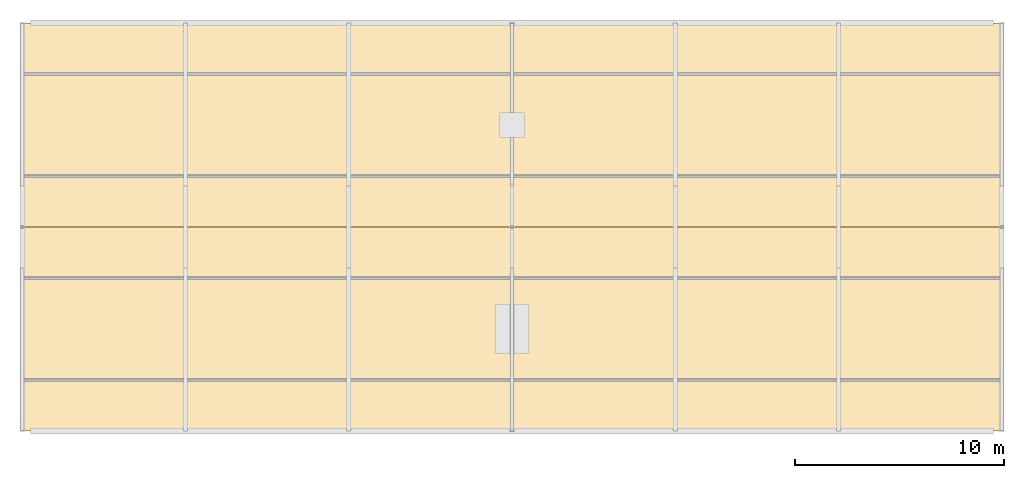
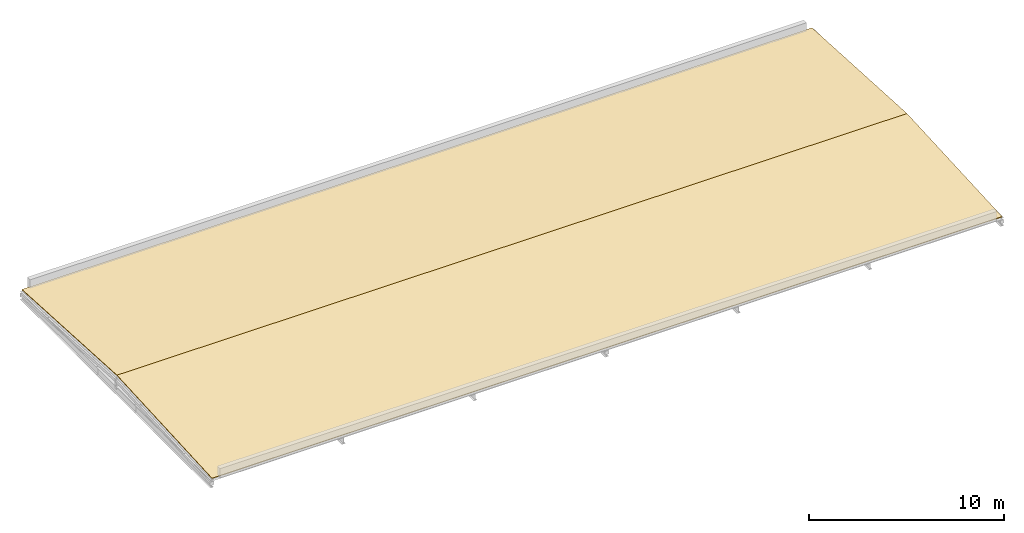
# One storey, part 13 of 13: 2 coverings.
"""IFC4 building model written with IfcOpenShell, lengths in metres."""

import ifcopenshell
import ifcopenshell.guid

model = None  # the IFC model being written
_history = None  # IfcOwnerHistory: only IFC2X3 demands one
_inside = {}  # id of a spatial element -> (the spatial element, [elements in it])
_under = {}  # id of a project, library or spatial element -> (it, [spatial elements below it])
_declared = {}  # id of a project -> (the project, [libraries it declares])
_typed = {}  # id of a type object -> (the type object, [elements of that type])
_made_of = {}  # id of a material, layer set ... -> (it, [elements and type objects made of it])


def new_model(schema):
    """Start an empty IFC model of exactly this schema.

    Asked for "IFC4X3", IfcOpenShell would pick the latest addendum, in which some entities
    have other attributes; the version numbers below select the first issue.
    IFC2X3 requires an IfcOwnerHistory on every rooted entity: one is made here for all.
    """
    global model, _history
    if schema == "IFC4X3":
        model = ifcopenshell.file(schema_version=(4, 3, 0, 0))
    else:
        model = ifcopenshell.file(schema=schema)
    _inside.clear()
    _under.clear()
    _declared.clear()
    _typed.clear()
    _made_of.clear()
    _history = None
    if model.schema == "IFC2X3":
        org = make("IfcOrganization", Name="unknown")
        user = make(
            "IfcPersonAndOrganization",
            ThePerson=make("IfcPerson", FamilyName="unknown"),
            TheOrganization=org,
        )
        app = make(
            "IfcApplication",
            ApplicationDeveloper=org,
            Version="unknown",
            ApplicationFullName="unknown",
            ApplicationIdentifier="unknown",
        )
        _history = make(
            "IfcOwnerHistory",
            OwningUser=user,
            OwningApplication=app,
            ChangeAction="ADDED",
            CreationDate=0,
        )
    return model


def make(cls, **values):
    """One entity of the class cls with the attributes given. An attribute that is None is left unset."""
    return model.create_entity(
        cls, **{name: value for name, value in values.items() if value is not None}
    )


def rooted(cls, **values):
    """An entity with a GlobalId (a new one), such as an element, a storey or a relation."""
    return make(cls, GlobalId=ifcopenshell.guid.new(), OwnerHistory=_history, **values)


def si_unit(unit_type, name, prefix=None):
    """IfcSIUnit, for example si_unit("LENGTHUNIT", "METRE", prefix="MILLI")."""
    return make("IfcSIUnit", UnitType=unit_type, Prefix=prefix, Name=name)


def assignment(units):
    """IfcUnitAssignment: the units of a project."""
    return None if units is None else make("IfcUnitAssignment", Units=units)


def point(xyz):
    """IfcCartesianPoint."""
    return None if xyz is None else make("IfcCartesianPoint", Coordinates=xyz)


def direction(xyz):
    """IfcDirection."""
    return None if xyz is None else make("IfcDirection", DirectionRatios=xyz)


def frame(location, z_axis=None, x_axis=None):
    """IfcAxis2Placement3D, a coordinate frame: its origin and axes. An axis left out is left unset."""
    return make(
        "IfcAxis2Placement3D",
        Location=point(location),
        Axis=direction(z_axis),
        RefDirection=direction(x_axis),
    )


def origin():
    """The frame at (0, 0, 0) with its axes left unset."""
    return frame((0.0, 0.0, 0.0))


def place(relative_to, where):
    """IfcLocalPlacement: puts the frame where relative to a parent placement (None: the world)."""
    return make(
        "IfcLocalPlacement", PlacementRelTo=relative_to, RelativePlacement=where
    )


def context(
    kind, dimensions, precision=None, world=None, true_north=None, identifier=None
):
    """IfcGeometricRepresentationContext, for example the 3D "Model" context."""
    return make(
        "IfcGeometricRepresentationContext",
        ContextIdentifier=identifier,
        ContextType=kind,
        CoordinateSpaceDimension=dimensions,
        Precision=precision,
        WorldCoordinateSystem=world,
        TrueNorth=true_north,
    )


def subcontext(parent, identifier, kind, view, scale=None):
    """IfcGeometricRepresentationSubContext, for example "Body" below "Model"."""
    return make(
        "IfcGeometricRepresentationSubContext",
        ContextIdentifier=identifier,
        ContextType=kind,
        ParentContext=parent,
        TargetScale=scale,
        TargetView=view,
    )


def project(units=None, contexts=None):
    """IfcProject with its units and contexts."""
    return rooted(
        "IfcProject",
        Name="project",
        RepresentationContexts=contexts,
        UnitsInContext=assignment(units),
    )


def spatial(cls, under=None, at=None, **own):
    """A site, building, storey or space (cls), placed at a placement, below another one or the project."""
    s = rooted(cls, ObjectPlacement=at, **own)
    if under is not None:
        _under.setdefault(under.id(), (under, []))[1].append(s)
    return s


def polyline(points):
    """IfcPolyline through the points."""
    return make("IfcPolyline", Points=[point(p) for p in points])


def outline(outer, holes=None, kind="AREA"):
    """IfcArbitraryClosedProfileDef: a profile drawn as a closed curve; with holes, ...WithVoids."""
    if holes is None:
        return make("IfcArbitraryClosedProfileDef", ProfileType=kind, OuterCurve=outer)
    return make(
        "IfcArbitraryProfileDefWithVoids",
        ProfileType=kind,
        OuterCurve=outer,
        InnerCurves=holes,
    )


def extrude(swept, where, along, depth):
    """IfcExtrudedAreaSolid: the profile swept, set in the frame where, extruded along a direction by depth."""
    return make(
        "IfcExtrudedAreaSolid",
        SweptArea=swept,
        Position=where,
        ExtrudedDirection=direction(along),
        Depth=depth,
    )


def shape(context_of_items, identifier, shape_type, items):
    """IfcShapeRepresentation: the items that make up one representation, for example the "Body"."""
    return make(
        "IfcShapeRepresentation",
        ContextOfItems=context_of_items,
        RepresentationIdentifier=identifier,
        RepresentationType=shape_type,
        Items=items,
    )


def material(Name=None, Category=None):
    """IfcMaterial."""
    return make("IfcMaterial", Name=Name, Category=Category)


def layer(
    of_material, thickness, ventilated=None, Name=None, Category=None, Priority=None
):
    """IfcMaterialLayer: one layer of a wall or slab, of a material (None: an air gap)."""
    return make(
        "IfcMaterialLayer",
        Material=of_material,
        LayerThickness=thickness,
        IsVentilated=ventilated,
        Name=Name,
        Category=Category,
        Priority=Priority,
    )


def layer_set(layers, Name=None):
    """IfcMaterialLayerSet."""
    return make("IfcMaterialLayerSet", MaterialLayers=layers, LayerSetName=Name)


def made_of(thing, what):
    """Note that an element or type object is made of a material, layer set ...; save() writes the relation."""
    if what is not None:
        _made_of.setdefault(what.id(), (what, []))[1].append(thing)
    return thing


def type_object(cls, material=None, **own):
    """A type object (cls), such as IfcWallType, which elements share."""
    return made_of(rooted(cls, **own), material)


def element(
    cls,
    number,
    at=None,
    inside=None,
    cuts=None,
    type_object=None,
    material=None,
    context=None,
    identifier="Body",
    shape_type=None,
    held_by="IfcProductDefinitionShape",
    body=None,
    shapes=None,
    **own,
):
    """One element of the class cls, such as IfcWall. Its Tag is "e" and its number.

    at: its placement. inside: the storey or other place that contains it. cuts: it is an
    opening in that element (IfcRelVoidsElement). A single representation is given by context,
    identifier, shape_type and body (its items); several are given by shapes. held_by: the class
    of the entity that holds the representations. save() writes the other relations.
    """
    e = rooted(cls, Tag="e%d" % number, ObjectPlacement=at, **own)
    if body is not None:
        shapes = [shape(context, identifier, shape_type, body)]
    if shapes is not None:
        e.Representation = make(held_by, Representations=shapes)
    if inside is not None:
        _inside.setdefault(inside.id(), (inside, []))[1].append(e)
    if cuts is not None:
        rooted(
            "IfcRelVoidsElement", RelatingBuildingElement=cuts, RelatedOpeningElement=e
        )
    if type_object is not None:
        _typed.setdefault(type_object.id(), (type_object, []))[1].append(e)
    return made_of(e, material)


def aggregate(whole, parts):
    """IfcRelAggregates: a whole, such as a stair, and the parts it consists of."""
    return rooted("IfcRelAggregates", RelatingObject=whole, RelatedObjects=parts)


def save(model, path):
    """Write the relations noted so far, then the file.

    IfcRelAggregates (storeys below a building ...), IfcRelContainedInSpatialStructure (elements
    in a storey), IfcRelDefinesByType, IfcRelAssociatesMaterial and IfcRelDeclares: one each for
    every whole, place, type object, material and project.
    """
    for whole, parts in _under.values():
        aggregate(whole, parts)
    for where, things in _inside.values():
        rooted(
            "IfcRelContainedInSpatialStructure",
            RelatedElements=things,
            RelatingStructure=where,
        )
    for kind, things in _typed.values():
        rooted("IfcRelDefinesByType", RelatedObjects=things, RelatingType=kind)
    for what, things in _made_of.values():
        rooted("IfcRelAssociatesMaterial", RelatedObjects=things, RelatingMaterial=what)
    for by, libraries in _declared.values():
        rooted("IfcRelDeclares", RelatingContext=by, RelatedDefinitions=libraries)
    model.write(path)


model = new_model("IFC4")

# Units and contexts
model_context = context("Model", 3, precision=1e-05, world=origin(), true_north=direction((0.0, 1.0)))
body_context = subcontext(model_context, "Body", "Model", "MODEL_VIEW")
ifc_project = project(units=[si_unit("LENGTHUNIT", "METRE"), si_unit("AREAUNIT", "SQUARE_METRE"), si_unit("VOLUMEUNIT", "CUBIC_METRE"), si_unit("PLANEANGLEUNIT", "RADIAN"), si_unit("MASSUNIT", "GRAM", prefix="KILO")], contexts=[model_context])

# Site, building, storey
site_placement = place(None, origin())
site = spatial("IfcSite", under=ifc_project, at=site_placement, CompositionType="ELEMENT")
building_placement = place(site_placement, origin())
building = spatial("IfcBuilding", under=site, at=building_placement, Name="Celorna Specialist Clinic", CompositionType="ELEMENT")
storey_placement = place(building_placement, frame((0.0, 0.0, 27.300048828125)))
storey = spatial("IfcBuildingStorey", under=building, at=storey_placement, Name="RF", CompositionType="ELEMENT", Elevation=27.300048828125)

# Coverings
ifc_material = material(Name="Standing-seam zinc and EPDM acoustic roofing membrane")
ifc_layer = layer(ifc_material, 0.0400390625, Name="Standing-seam zinc and EPDM acoustic roofing membrane")
ifc_layer_set = layer_set([ifc_layer], Name="Standing-seam zinc and EPDM acoustic roofing membrane")
covering_type = type_object("IfcCoveringType", Name="RFG-01", PredefinedType="ROOFING", material=ifc_layer_set)
for number, where, z_axis, x_axis, name in (
    (1, (46.800048828125, 96.5, 0.0400390625), (0.0, -0.055278928105, 0.998470951058), (1.0, 0.0, 0.0), "Standing-seam zinc roofing ROOF-V4-SOUTH"),
    (2, (46.800048828125, 106.25, 0.579833984375), (0.0, 0.055278928105, 0.998470951058), (1.0, 0.0, 0.0), "Standing-seam zinc roofing ROOF-V4-NORTH"),
):
    element("IfcCovering", number, at=place(storey_placement, frame(where, z_axis=z_axis, x_axis=x_axis)), inside=storey, type_object=covering_type, Name=name, PredefinedType="ROOFING", context=body_context, shape_type="SweptSolid", body=[
        extrude(outline(polyline([(0.0, 0.0), (46.800048828125, 0.0), (46.800048828125, 9.764931057497643), (0.0, 9.764931057497643), (0.0, 0.0)])), origin(), (0.0, 0.0, -1.0), 0.0400390625),
    ])

save(model, "model.ifc")
